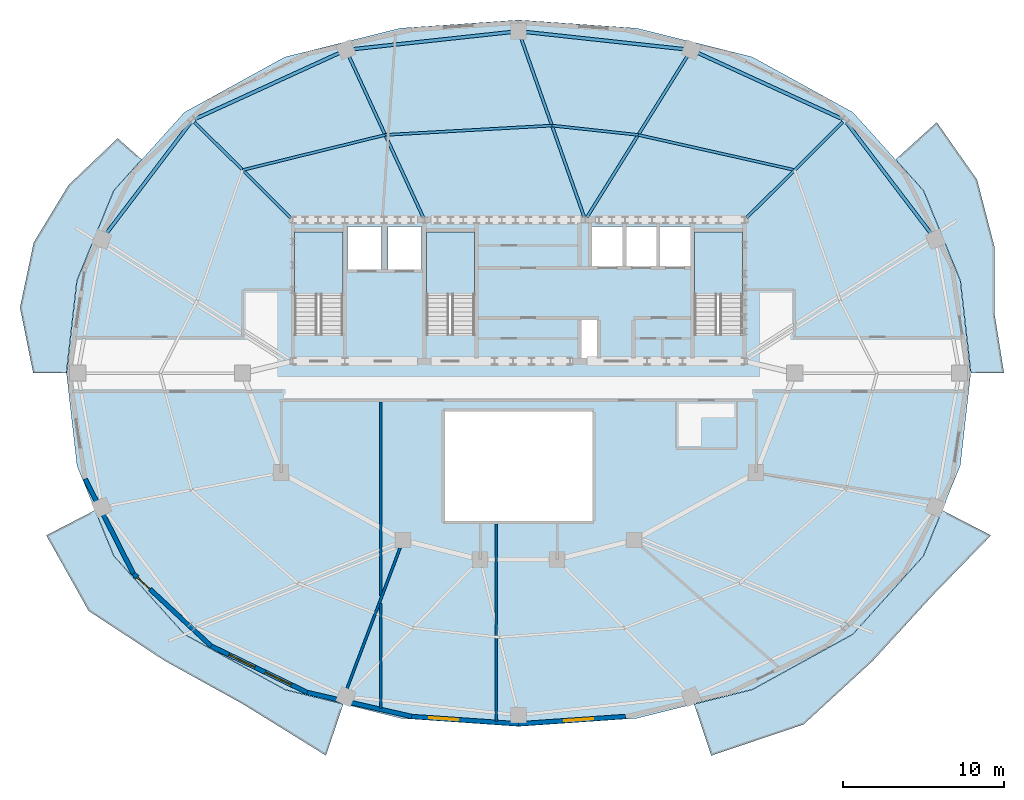
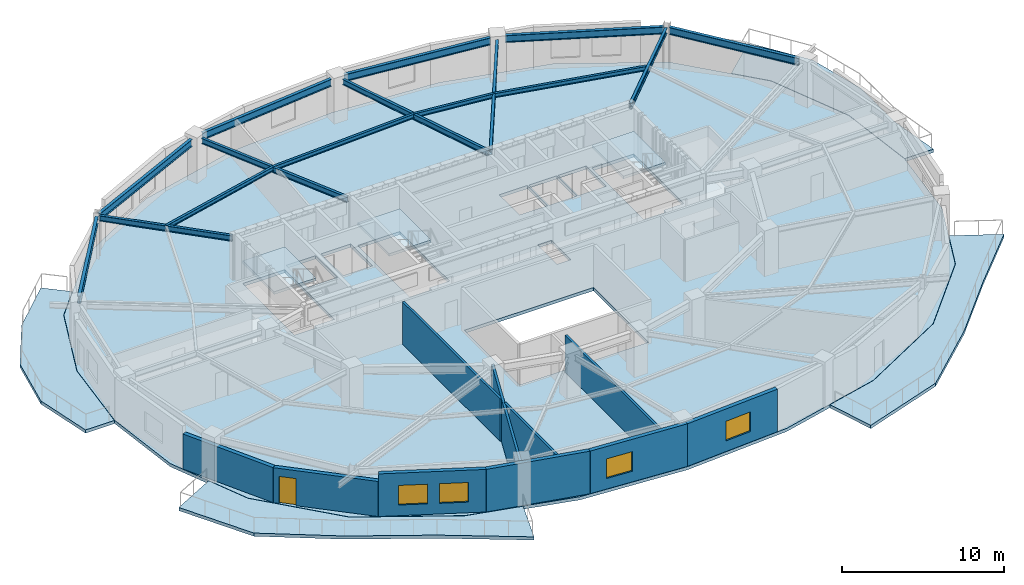
# One storey, part 3 of 11: 15 beams, 10 walls, 8 slabs, 4 windows, 1 door, 5 openings, 3 elements without a shape of their own.
"""IFC4 building model written with IfcOpenShell, lengths in metres."""

from ifc_helpers import new_model, si_unit, direction, frame, frame_2d, origin, origin_2d, place, context, subcontext, project, spatial, polyline, rectangle, i_section, outline, extrude, material, layer, layer_set, material_profile, profile_set, type_object, element, fill, aggregate, save


model = new_model("IFC4")

# Units and contexts
model_context = context("Model", 3, precision=1e-05, world=origin(), true_north=direction((0.0, 1.0)))
body_context = subcontext(model_context, "Body", "Model", "MODEL_VIEW")
ifc_project = project(units=[si_unit("LENGTHUNIT", "METRE"), si_unit("AREAUNIT", "SQUARE_METRE"), si_unit("VOLUMEUNIT", "CUBIC_METRE"), si_unit("PLANEANGLEUNIT", "RADIAN"), si_unit("MASSUNIT", "GRAM", prefix="KILO")], contexts=[model_context])

# Site, building, storey
site_placement = place(None, origin())
site = spatial("IfcSite", under=ifc_project, at=site_placement, CompositionType="ELEMENT")
building_placement = place(site_placement, origin())
building = spatial("IfcBuilding", under=site, at=building_placement, Name="Haldorwick Loom Tower", CompositionType="ELEMENT")
storey_placement = place(building_placement, frame((0.0, 0.0, 234.0)))
storey = spatial("IfcBuildingStorey", under=building, at=storey_placement, Name="L63", CompositionType="ELEMENT", Elevation=234.0)

# Beams
ifc_material_1 = material(Name="Steel CSA G40.21 350W", Category="steel")
ifc_material_profile_1 = material_profile(ifc_material_1, i_section(OverallWidth=0.166015625, OverallDepth=0.31298828125, WebThickness=0.006591796875, FlangeThickness=0.01123046875, at=origin_2d()), Name="W310X45", Category="steel")
ifc_profile_set_1 = profile_set([ifc_material_profile_1], Name="Steel CSA G40.21 350W")
beam_type_1 = type_object("IfcBeamType", Name="STR-BM-J310", PredefinedType="JOIST", material=ifc_profile_set_1)
beam_1_placement = place(storey_placement, frame((53.19384765625, 38.657470703125, 3.053466796875), z_axis=(-0.975700785876, 0.219107225898, 0.0), x_axis=(-0.219107225898, -0.975700785876, 0.0)))
element("IfcBeam", 1, at=beam_1_placement, inside=storey, type_object=beam_type_1, Name="L63 Mid-Bay Secondary Joist 3", PredefinedType="JOIST", context=body_context, shape_type="SweptSolid", body=[
    extrude(i_section(OverallWidth=0.166015625, OverallDepth=0.31298828125, WebThickness=0.006591796875, FlangeThickness=0.01123046875, at=origin_2d()), origin(), (0.0, 0.0, 1.0), 9.98486328125),
])
beam_2_placement = place(storey_placement, frame((43.45166015625, 40.84521484375, 3.053466796875), z_axis=(-0.994187082722, 0.107666357549, 0.0), x_axis=(-0.107666357549, -0.994187082722, 0.0)))
element("IfcBeam", 2, at=beam_2_placement, inside=storey, type_object=beam_type_1, Name="L63 Mid-Bay Secondary Joist 4", PredefinedType="JOIST", context=body_context, shape_type="SweptSolid", body=[
    extrude(i_section(OverallWidth=0.166015625, OverallDepth=0.31298828125, WebThickness=0.006591796875, FlangeThickness=0.01123046875, at=origin_2d()), origin(), (0.0, 0.0, 1.0), 5.408203125),
])
beam_3_placement = place(storey_placement, frame((38.074951171875, 41.427490234375, 3.053466796875), z_axis=(-0.998432354117, -0.05597172726, 0.0), x_axis=(0.05597172726, -0.998432354117, 0.0)))
element("IfcBeam", 3, at=beam_3_placement, inside=storey, type_object=beam_type_1, Name="L63 Mid-Bay Secondary Joist 5", PredefinedType="JOIST", context=body_context, shape_type="SweptSolid", body=[
    extrude(i_section(OverallWidth=0.166015625, OverallDepth=0.31298828125, WebThickness=0.006591796875, FlangeThickness=0.01123046875, at=origin_2d()), origin(), (0.0, 0.0, 1.0), 10.403076171875),
])
beam_4_placement = place(storey_placement, frame((27.688232421875, 40.84521484375, 3.053466796875), z_axis=(-0.970979703726, -0.239161901132, 0.0), x_axis=(0.239161901132, -0.970979703726, 0.0)))
element("IfcBeam", 4, at=beam_4_placement, inside=storey, type_object=beam_type_1, Name="L63 Mid-Bay Secondary Joist 6", PredefinedType="JOIST", context=body_context, shape_type="SweptSolid", body=[
    extrude(i_section(OverallWidth=0.166015625, OverallDepth=0.31298828125, WebThickness=0.006591796875, FlangeThickness=0.01123046875, at=origin_2d()), origin(), (0.0, 0.0, 1.0), 9.1474609375),
])
ifc_material_profile_2 = material_profile(ifc_material_1, i_section(OverallWidth=0.179931640625, OverallDepth=0.4130859375, WebThickness=0.009765625, FlangeThickness=0.01611328125, at=origin_2d()), Name="W410X74", Category="steel")
ifc_profile_set_2 = profile_set([ifc_material_profile_2], Name="Steel CSA G40.21 350W")
beam_type_2 = type_object("IfcBeamType", Name="STR-BM-J410", PredefinedType="JOIST", material=ifc_profile_set_2)
beam_5_placement = place(storey_placement, frame((50.1962890625, 35.675537109375, 3.00341796875), z_axis=(0.708952100153, 0.70525663392, 0.0), x_axis=(-0.70525663392, 0.708952100153, 0.0)))
element("IfcBeam", 5, at=beam_5_placement, inside=storey, type_object=beam_type_2, Name="L63 Radial Floor Girder 3", PredefinedType="JOIST", context=body_context, shape_type="SweptSolid", body=[
    extrude(i_section(OverallWidth=0.179931640625, OverallDepth=0.4130859375, WebThickness=0.009765625, FlangeThickness=0.01611328125, at=origin_2d()), origin(), (0.0, 0.0, 1.0), 8.456298828125),
])
beam_6_placement = place(storey_placement, frame((40.244140625, 35.700927734375, 3.00341796875), z_axis=(0.529096919652, 0.848561400027, 0.0), x_axis=(-0.848561400027, 0.529096919652, 0.0)))
element("IfcBeam", 6, at=beam_6_placement, inside=storey, type_object=beam_type_2, Name="L63 Radial Floor Girder 4", PredefinedType="JOIST", context=body_context, shape_type="SweptSolid", body=[
    extrude(i_section(OverallWidth=0.179931640625, OverallDepth=0.4130859375, WebThickness=0.009765625, FlangeThickness=0.01611328125, at=origin_2d()), origin(), (0.0, 0.0, 1.0), 11.827880859375),
])
beam_7_placement = place(storey_placement, frame((40.0908203125, 35.7177734375, 3.00341796875), z_axis=(-0.332900112782, 0.942962096221, 0.0), x_axis=(-0.942962096221, -0.332900112782, 0.0)))
element("IfcBeam", 7, at=beam_7_placement, inside=storey, type_object=beam_type_2, Name="L63 Radial Floor Girder 5", PredefinedType="JOIST", context=body_context, shape_type="SweptSolid", body=[
    extrude(i_section(OverallWidth=0.179931640625, OverallDepth=0.4130859375, WebThickness=0.009765625, FlangeThickness=0.01611328125, at=origin_2d()), origin(), (0.0, 0.0, 1.0), 11.813232421875),
])
beam_8_placement = place(storey_placement, frame((30.055419921875, 35.711669921875, 3.00341796875), z_axis=(-0.418729078283, 0.908111204094, 0.0), x_axis=(-0.908111204094, -0.418729078283, 0.0)))
element("IfcBeam", 8, at=beam_8_placement, inside=storey, type_object=beam_type_2, Name="L63 Radial Floor Girder 6", PredefinedType="JOIST", context=body_context, shape_type="SweptSolid", body=[
    extrude(i_section(OverallWidth=0.179931640625, OverallDepth=0.4130859375, WebThickness=0.009765625, FlangeThickness=0.01611328125, at=origin_2d()), origin(), (0.0, 0.0, 1.0), 11.00927734375),
])
beam_9_placement = place(storey_placement, frame((21.8037109375, 35.675537109375, 3.00341796875), z_axis=(-0.708952100153, 0.70525663392, 0.0), x_axis=(-0.70525663392, -0.708952100153, 0.0)))
element("IfcBeam", 9, at=beam_9_placement, inside=storey, type_object=beam_type_2, Name="L63 Radial Floor Girder 7", PredefinedType="JOIST", context=body_context, shape_type="SweptSolid", body=[
    extrude(i_section(OverallWidth=0.179931640625, OverallDepth=0.4130859375, WebThickness=0.009765625, FlangeThickness=0.01611328125, at=origin_2d()), origin(), (0.0, 0.0, 1.0), 8.456298828125),
])
ifc_material_profile_3 = material_profile(ifc_material_1, i_section(OverallWidth=0.2119140625, OverallDepth=0.5439453125, WebThickness=0.01318359375, FlangeThickness=0.021240234375, at=origin_2d()), Name="W530X123", Category="steel")
ifc_profile_set_3 = profile_set([ifc_material_profile_3], Name="Steel CSA G40.21 350W")
beam_type_3 = type_object("IfcBeamType", Name="STR-BM-SP530", PredefinedType="SPANDREL", material=ifc_profile_set_3)
beam_10_placement = place(storey_placement, frame((61.673583984375, 34.720703125, 2.93798828125), z_axis=(-0.605253156055, 0.796033050247, 0.0), x_axis=(-0.796033050247, -0.605253156055, 0.0)))
element("IfcBeam", 10, at=beam_10_placement, inside=storey, type_object=beam_type_3, Name="L63 Perimeter Spandrel 2", PredefinedType="SPANDREL", context=body_context, shape_type="SweptSolid", body=[
    extrude(i_section(OverallWidth=0.2119140625, OverallDepth=0.5439453125, WebThickness=0.01318359375, FlangeThickness=0.021240234375, at=origin_2d()), origin(), (0.0, 0.0, 1.0), 8.671142578125),
])
beam_11_placement = place(storey_placement, frame((56.15576171875, 41.839111328125, 2.93798828125), z_axis=(-0.909350907904, 0.41602995841, 0.0), x_axis=(-0.41602995841, -0.909350907904, 0.0)))
element("IfcBeam", 11, at=beam_11_placement, inside=storey, type_object=beam_type_3, Name="L63 Perimeter Spandrel 3", PredefinedType="SPANDREL", context=body_context, shape_type="SweptSolid", body=[
    extrude(i_section(OverallWidth=0.2119140625, OverallDepth=0.5439453125, WebThickness=0.01318359375, FlangeThickness=0.021240234375, at=origin_2d()), origin(), (0.0, 0.0, 1.0), 9.86474609375),
])
for number, where, z_axis, x_axis, name in (
    (12, (46.28125, 46.191650390625, 2.93798828125), (-0.994187378218, 0.107663628917, 0.0), (-0.107663628917, -0.994187378218, 0.0), "L63 Perimeter Spandrel 4"),
    (13, (35.52783203125, 47.25390625, 2.93798828125), (-0.994187378218, -0.107663628917, 0.0), (0.107663628917, -0.994187378218, 0.0), "L63 Perimeter Spandrel 5"),
):
    element("IfcBeam", number, at=place(storey_placement, frame(where, z_axis=z_axis, x_axis=x_axis)), inside=storey, type_object=beam_type_3, Name=name, PredefinedType="SPANDREL", context=body_context, shape_type="SweptSolid", body=[
        extrude(i_section(OverallWidth=0.2119140625, OverallDepth=0.5439453125, WebThickness=0.01318359375, FlangeThickness=0.021240234375, at=origin_2d()), origin(), (0.0, 0.0, 1.0), 9.866455078125),
    ])
beam_12_placement = place(storey_placement, frame((24.814697265625, 45.943115234375, 2.93798828125), z_axis=(-0.909350907904, -0.41602995841, 0.0), x_axis=(0.41602995841, -0.909350907904, 0.0)))
element("IfcBeam", 14, at=beam_12_placement, inside=storey, type_object=beam_type_3, Name="L63 Perimeter Spandrel 6", PredefinedType="SPANDREL", context=body_context, shape_type="SweptSolid", body=[
    extrude(i_section(OverallWidth=0.2119140625, OverallDepth=0.5439453125, WebThickness=0.01318359375, FlangeThickness=0.021240234375, at=origin_2d()), origin(), (0.0, 0.0, 1.0), 9.86474609375),
])
beam_13_placement = place(storey_placement, frame((15.57470703125, 41.623291015625, 2.93798828125), z_axis=(-0.605253156055, -0.796033050247, 0.0), x_axis=(0.796033050247, -0.605253156055, 0.0)))
element("IfcBeam", 15, at=beam_13_placement, inside=storey, type_object=beam_type_3, Name="L63 Perimeter Spandrel 7", PredefinedType="SPANDREL", context=body_context, shape_type="SweptSolid", body=[
    extrude(i_section(OverallWidth=0.2119140625, OverallDepth=0.5439453125, WebThickness=0.01318359375, FlangeThickness=0.021240234375, at=origin_2d()), origin(), (0.0, 0.0, 1.0), 8.671142578125),
])

# Slabs
ifc_material_2 = material(Name="Concrete C40 (40 MPa)", Category="concrete")
ifc_layer_1 = layer(ifc_material_2, 0.239990234375, Name="Concrete C40 (40 MPa)", Category="concrete")
ifc_layer_set_1 = layer_set([ifc_layer_1], Name="Concrete C40 (40 MPa)")
slab_type_1 = type_object("IfcSlabType", Name="STR-SLB-BAL240", PredefinedType="FLOOR", material=ifc_layer_set_1)
slab_1_placement = place(storey_placement, frame((0.0, 0.0, -0.239990234375)))
element("IfcSlab", 16, at=slab_1_placement, inside=storey, type_object=slab_type_1, Name="L63 Sinusoidal Balcony Terrace BAL_SE", PredefinedType="FLOOR", context=body_context, shape_type="SweptSolid", body=[
    extrude(outline(polyline([(62.39208984375, 17.46142578125), (61.229736328125, 14.62060546875), (61.229248046875, 14.619384765625), (61.228515625, 14.6181640625), (61.227783203125, 14.6171875), (61.22705078125, 14.6162109375), (56.82373046875, 9.72998046875), (56.82275390625, 9.72900390625), (56.8212890625, 9.727783203125), (56.81982421875, 9.72705078125), (50.565673828125, 6.287109375), (50.564453125, 6.286376953125), (50.563232421875, 6.285888671875), (50.56201171875, 6.285400390625), (46.934326171875, 5.379638671875), (48.0029296875, 2.17919921875), (53.75341796875, 4.119873046875), (58.088134765625, 8.107666015625), (61.7333984375, 12.09521484375), (65.4248046875, 15.89599609375), (62.39208984375, 17.46142578125)])), origin(), (0.0, 0.0, 1.0), 0.239990234375),
])
slab_2_placement = place(storey_placement, frame((0.0, 0.0, -0.239990234375)))
element("IfcSlab", 17, at=slab_2_placement, inside=storey, type_object=slab_type_1, Name="L63 Sinusoidal Balcony Terrace BAL_SW", PredefinedType="FLOOR", context=body_context, shape_type="SweptSolid", body=[
    extrude(outline(polyline([(25.065673828125, 5.379638671875), (21.43798828125, 6.285400390625), (21.436767578125, 6.285888671875), (21.435546875, 6.286376953125), (21.434326171875, 6.287109375), (15.18017578125, 9.72705078125), (15.1787109375, 9.727783203125), (15.17724609375, 9.72900390625), (15.17626953125, 9.72998046875), (10.77294921875, 14.6162109375), (10.772216796875, 14.6171875), (10.771484375, 14.6181640625), (10.770751953125, 14.619384765625), (10.770263671875, 14.62060546875), (9.60791015625, 17.46142578125), (6.5751953125, 15.89599609375), (9.211181640625, 11.19287109375), (13.911865234375, 8.107666015625), (18.889404296875, 5.350830078125), (23.9970703125, 2.17919921875), (25.065673828125, 5.379638671875)])), origin(), (0.0, 0.0, 1.0), 0.239990234375),
])
slab_3_placement = place(storey_placement, frame((0.0, 0.0, -0.239990234375)))
element("IfcSlab", 18, at=slab_3_placement, inside=storey, type_object=slab_type_1, Name="L63 Sinusoidal Balcony Terrace BAL_WNW", PredefinedType="FLOOR", context=body_context, shape_type="SweptSolid", body=[
    extrude(outline(polyline([(7.818603515625, 26.0), (7.818603515625, 26.001708984375), (8.472412109375, 31.760986328125), (8.47265625, 31.762451171875), (8.472900390625, 31.763916015625), (8.473388671875, 31.76513671875), (10.770263671875, 37.37939453125), (10.770751953125, 37.380615234375), (10.771484375, 37.3818359375), (10.772216796875, 37.3828125), (10.77294921875, 37.3837890625), (12.51220703125, 39.31396484375), (11.021240234375, 40.63623046875), (7.961669921875, 37.720947265625), (5.794921875, 34.153564453125), (4.93603515625, 30.090576171875), (5.761962890625, 26.0), (7.818603515625, 26.0)])), origin(), (0.0, 0.0, 1.0), 0.239990234375),
])
slab_4_placement = place(storey_placement, frame((0.0, 0.0, -0.239990234375)))
element("IfcSlab", 19, at=slab_4_placement, inside=storey, type_object=slab_type_1, Name="L63 Sinusoidal Balcony Terrace BAL_ENE", PredefinedType="FLOOR", context=body_context, shape_type="SweptSolid", body=[
    extrude(outline(polyline([(59.48681640625, 39.315185546875), (61.22705078125, 37.3837890625), (61.227783203125, 37.3828125), (61.228515625, 37.3818359375), (61.229248046875, 37.380615234375), (61.229736328125, 37.37939453125), (63.526611328125, 31.76513671875), (63.527099609375, 31.763916015625), (63.52734375, 31.762451171875), (63.527587890625, 31.760986328125), (64.181396484375, 26.001708984375), (64.181396484375, 26.0), (66.238037109375, 26.0), (65.631103515625, 29.80029296875), (65.632568359375, 33.91552734375), (64.5576171875, 38.0595703125), (62.04931640625, 41.6318359375), (59.48681640625, 39.315185546875)])), origin(), (0.0, 0.0, 1.0), 0.239990234375),
])

# Stair, slab
stair_type = type_object("IfcStairType", Name="STR-STR-CORE", PredefinedType="HALF_TURN_STAIR", material=ifc_material_2)
stair_1_placement = place(storey_placement, origin())
stair_1 = element("IfcStair", 20, at=stair_1_placement, inside=storey, type_object=stair_type, Name="L63 Exit Stair ST-01", PredefinedType="HALF_TURN_STAIR")
ifc_layer_2 = layer(ifc_material_2, 0.199951171875, Name="Concrete C40 (40 MPa)", Category="concrete")
ifc_layer_set_2 = layer_set([ifc_layer_2], Name="Concrete C40 (40 MPa)")
slab_type_2 = type_object("IfcSlabType", Name="STR-SLB-LAND200", PredefinedType="LANDING", material=ifc_layer_set_2)
slab_5_placement = place(storey_placement, frame((0.0, 0.0, 1.52490234375)))
slab_5 = element("IfcSlab", 21, at=slab_5_placement, type_object=slab_type_2, Name="ST-01 landing 1", PredefinedType="LANDING", context=body_context, shape_type="SweptSolid", body=[
    extrude(outline(polyline([(25.050048828125, 30.919921875), (25.050048828125, 34.800048828125), (22.050048828125, 34.800048828125), (22.050048828125, 30.919921875), (25.050048828125, 30.919921875)])), origin(), (0.0, 0.0, 1.0), 0.2001953125),
])
aggregate(stair_1, [slab_5])

stair_2_placement = place(storey_placement, origin())
stair_2 = element("IfcStair", 22, at=stair_2_placement, inside=storey, type_object=stair_type, Name="L63 Exit Stair ST-02", PredefinedType="HALF_TURN_STAIR")
slab_6_placement = place(storey_placement, frame((0.0, 0.0, 1.52490234375)))
slab_6 = element("IfcSlab", 23, at=slab_6_placement, type_object=slab_type_2, Name="ST-02 landing 1", PredefinedType="LANDING", context=body_context, shape_type="SweptSolid", body=[
    extrude(outline(polyline([(49.949951171875, 30.919921875), (49.949951171875, 34.800048828125), (46.949951171875, 34.800048828125), (46.949951171875, 30.919921875), (49.949951171875, 30.919921875)])), origin(), (0.0, 0.0, 1.0), 0.2001953125),
])
aggregate(stair_2, [slab_6])

stair_3_placement = place(storey_placement, origin())
stair_3 = element("IfcStair", 24, at=stair_3_placement, inside=storey, type_object=stair_type, Name="L63 Exit Stair ST-03", PredefinedType="HALF_TURN_STAIR")
slab_7_placement = place(storey_placement, frame((0.0, 0.0, 1.52490234375)))
slab_7 = element("IfcSlab", 25, at=slab_7_placement, type_object=slab_type_2, Name="ST-03 landing 1", PredefinedType="LANDING", context=body_context, shape_type="SweptSolid", body=[
    extrude(outline(polyline([(33.25, 30.919921875), (33.25, 34.800048828125), (30.25, 34.800048828125), (30.25, 30.919921875), (33.25, 30.919921875)])), origin(), (0.0, 0.0, 1.0), 0.2001953125),
])
aggregate(stair_3, [slab_7])

# Slab
ifc_layer_3 = layer(ifc_material_2, 0.239990234375, Name="Concrete C40 (40 MPa)", Category="concrete")
ifc_layer_set_3 = layer_set([ifc_layer_3], Name="Concrete C40 (40 MPa)")
slab_type_3 = type_object("IfcSlabType", Name="STR-SLB-RES240", PredefinedType="FLOOR", material=ifc_layer_set_3)
slab_8_placement = place(storey_placement, frame((0.0, 0.0, -0.239990234375)))
element("IfcSlab", 26, at=slab_8_placement, inside=storey, type_object=slab_type_3, Name="L63 Residential Structural Floor Slab", PredefinedType="FLOOR", context=body_context, shape_type="SweptSolid", body=[
    extrude(outline(polyline([(56.812744140625, 9.739990234375), (61.2158203125, 14.626220703125), (63.5126953125, 20.240478515625), (64.16650390625, 26.0), (63.5126953125, 31.759521484375), (61.2158203125, 37.373779296875), (56.812744140625, 42.260009765625), (50.558349609375, 45.699951171875), (43.3720703125, 47.494384765625), (36.0, 48.0048828125), (28.6279296875, 47.494384765625), (21.441650390625, 45.699951171875), (15.187255859375, 42.260009765625), (10.7841796875, 37.373779296875), (8.4873046875, 31.759521484375), (7.83349609375, 26.0), (8.4873046875, 20.240478515625), (10.7841796875, 14.626220703125), (15.187255859375, 9.739990234375), (21.441650390625, 6.300048828125), (28.6279296875, 4.505615234375), (36.0, 3.9951171875), (43.3720703125, 4.505615234375), (50.558349609375, 6.300048828125), (56.812744140625, 9.739990234375)]), holes=[polyline([(31.39990234375, 16.800048828125), (31.39990234375, 23.60009765625), (40.60009765625, 23.60009765625), (40.60009765625, 16.800048828125), (31.39990234375, 16.800048828125)]), polyline([(40.89990234375, 26.89990234375), (39.89990234375, 26.89990234375), (39.89990234375, 29.300048828125), (40.89990234375, 29.300048828125), (40.89990234375, 26.89990234375)]), polyline([(23.6201171875, 28.39990234375), (22.050048828125, 28.39990234375), (22.050048828125, 34.800048828125), (25.050048828125, 34.800048828125), (25.050048828125, 28.639892578125), (23.6201171875, 28.639892578125), (23.6201171875, 28.39990234375)]), polyline([(30.25, 28.39990234375), (30.25, 34.800048828125), (33.25, 34.800048828125), (33.25, 28.639892578125), (31.820068359375, 28.639892578125), (31.820068359375, 28.39990234375), (30.25, 28.39990234375)]), polyline([(46.949951171875, 28.39990234375), (46.949951171875, 34.800048828125), (49.949951171875, 34.800048828125), (49.949951171875, 28.639892578125), (48.52001953125, 28.639892578125), (48.52001953125, 28.39990234375), (46.949951171875, 28.39990234375)]), polyline([(27.449951171875, 32.449951171875), (25.35009765625, 32.449951171875), (25.35009765625, 35.14990234375), (27.449951171875, 35.14990234375), (27.449951171875, 32.449951171875)]), polyline([(29.949951171875, 32.449951171875), (27.85009765625, 32.449951171875), (27.85009765625, 35.14990234375), (29.949951171875, 35.14990234375), (29.949951171875, 32.449951171875)]), polyline([(42.550048828125, 32.64990234375), (40.550048828125, 32.64990234375), (40.550048828125, 35.14990234375), (42.550048828125, 35.14990234375), (42.550048828125, 32.64990234375)]), polyline([(42.64990234375, 32.64990234375), (42.64990234375, 35.14990234375), (44.64990234375, 35.14990234375), (44.64990234375, 32.64990234375), (42.64990234375, 32.64990234375)]), polyline([(44.75, 32.64990234375), (44.75, 35.14990234375), (46.75, 35.14990234375), (46.75, 32.64990234375), (44.75, 32.64990234375)])]), origin(), (0.0, 0.0, 1.0), 0.239990234375),
])

# Wall
ifc_material_3 = material(Name="Pressed Clay Face Brick and Insulated Masonry Backup Assembly", Category="masonry")
ifc_layer_4 = layer(ifc_material_3, 0.280029296875, Name="Pressed Clay Face Brick and Insulated Masonry Backup Assembly", Category="masonry")
ifc_layer_set_4 = layer_set([ifc_layer_4], Name="Pressed Clay Face Brick and Insulated Masonry Backup Assembly")
wall_type_1 = type_object("IfcWallType", Name="ARC-WL-EXT280", PredefinedType="STANDARD", material=ifc_layer_set_4)
wall_1_placement = place(storey_placement, frame((8.995849609375, 19.415283203125, 0.0), z_axis=(0.0, 0.0, 1.0), x_axis=(0.453032066879, -0.89149422117, 0.0)))
element("IfcWall", 27, at=wall_1_placement, inside=storey, type_object=wall_type_1, Name="L63 Brick Pier and Spandrel Wall 14", PredefinedType="STANDARD", context=body_context, shape_type="SweptSolid", body=[
    extrude(rectangle(XDim=6.618896484375, YDim=0.280029296875, at=frame_2d((3.3095703125, 0.0))), origin(), (0.0, 0.0, 1.0), 2.64111328125),
])

# Wall, opening, door
wall_2_placement = place(storey_placement, frame((11.994384765625, 13.5146484375, 0.0), z_axis=(0.0, 0.0, 1.0), x_axis=(0.731833707499, -0.681483253329, 0.0)))
wall_2 = element("IfcWall", 28, at=wall_2_placement, inside=storey, type_object=wall_type_1, Name="L63 Brick Pier and Spandrel Wall 15", PredefinedType="STANDARD", context=body_context, shape_type="SweptSolid", body=[
    extrude(rectangle(XDim=6.61865234375, YDim=0.280029296875, at=frame_2d((3.309326171875, 0.0))), origin(), (0.0, 0.0, 1.0), 2.64111328125),
])
opening_1_placement = place(wall_2_placement, frame((0.340087890625, 0.0, 0.0)))
opening_1 = element("IfcOpeningElement", 29, at=opening_1_placement, cuts=wall_2, Name="Opening D-BL11", PredefinedType="OPENING", context=body_context, shape_type="SweptSolid", body=[
    extrude(rectangle(XDim=1.080078125, YDim=2.0400390625, at=frame_2d((0.5400390625, 1.02001953125))), frame((0.0, 0.14990234375, 0.0), z_axis=(0.0, -1.0, 0.0), x_axis=(1.0, 0.0, 0.0)), (0.0, 0.0, 1.0), 0.300048828125),
])
ifc_material_4 = material(Name="Thermally Broken Anodized Aluminium Curtain Wall Framing", Category="aluminium")
door_type = type_object("IfcDoorType", Name="ARC-DR-BAL110", OperationType="NOTDEFINED", PredefinedType="DOOR", material=ifc_material_4)
door_placement = place(opening_1_placement, origin())
door = element("IfcDoor", 30, at=door_placement, inside=storey, type_object=door_type, Name="L63 Outdoor Terrace Door SLB-L63-BAL_SW", OperationType="SINGLE_SWING_LEFT", OverallHeight=2.0400390625, OverallWidth=1.080078125, PredefinedType="DOOR", context=body_context, shape_type="SweptSolid", body=[
    extrude(rectangle(XDim=1.080078125, YDim=2.0400390625, at=frame_2d((0.5400390625, 1.02001953125))), frame((0.0, 0.02490234375, 0.0), z_axis=(0.0, -1.0, 0.0), x_axis=(1.0, 0.0, 0.0)), (0.0, 0.0, 1.0), 0.050048828125),
])
fill(opening_1, door)

# Wall, openings, windows
wall_3_placement = place(storey_placement, frame((16.838134765625, 9.004150390625, 0.0), z_axis=(0.0, 0.0, 1.0), x_axis=(0.900371236029, -0.435122554381, 0.0)))
wall_3 = element("IfcWall", 31, at=wall_3_placement, inside=storey, type_object=wall_type_1, Name="L63 Brick Pier and Spandrel Wall 16", PredefinedType="STANDARD", context=body_context, shape_type="SweptSolid", body=[
    extrude(rectangle(XDim=6.6533203125, YDim=0.280029296875, at=frame_2d((3.32666015625, 0.0))), origin(), (0.0, 0.0, 1.0), 3.2099609375),
])
opening_2_placement = place(wall_3_placement, frame((1.234375, 0.0, 0.800048828125)))
opening_2 = element("IfcOpeningElement", 32, at=opening_2_placement, cuts=wall_3, Name="Opening W-01", PredefinedType="OPENING", context=body_context, shape_type="SweptSolid", body=[
    extrude(rectangle(XDim=1.800048828125, YDim=1.47998046875, at=frame_2d((0.89990234375, 0.739990234375))), frame((0.0, 0.14990234375, 0.0), z_axis=(0.0, -1.0, 0.0), x_axis=(1.0, 0.0, 0.0)), (0.0, 0.0, 1.0), 0.300048828125),
])
opening_3_placement = place(wall_3_placement, frame((3.75732421875, 0.0, 0.800048828125)))
opening_3 = element("IfcOpeningElement", 33, at=opening_3_placement, cuts=wall_3, Name="Opening W-01", PredefinedType="OPENING", context=body_context, shape_type="SweptSolid", body=[
    extrude(rectangle(XDim=1.800048828125, YDim=1.47998046875, at=frame_2d((0.89990234375, 0.739990234375))), frame((0.0, 0.14990234375, 0.0), z_axis=(0.0, -1.0, 0.0), x_axis=(1.0, 0.0, 0.0)), (0.0, 0.0, 1.0), 0.300048828125),
])
ifc_material_5 = material(Name="Triple-Glazed Low-E Argon Insulated Glazing Unit", Category="glass")
window_type = type_object("IfcWindowType", Name="ARC-WIN-W180", PartitioningType="SINGLE_PANEL", PredefinedType="WINDOW", material=ifc_material_5)
window_1_placement = place(opening_2_placement, origin())
window_1 = element("IfcWindow", 34, at=window_1_placement, inside=storey, type_object=window_type, Name="L63 Deep-Set Zone 7A Window 16", OverallHeight=1.47998046875, OverallWidth=1.800048828125, PartitioningType="SINGLE_PANEL", PredefinedType="WINDOW", context=body_context, shape_type="SweptSolid", body=[
    extrude(rectangle(XDim=1.800048828125, YDim=1.47998046875, at=frame_2d((0.89990234375, 0.739990234375))), frame((0.0, 0.030029296875, 0.0), z_axis=(0.0, -1.0, 0.0), x_axis=(1.0, 0.0, 0.0)), (0.0, 0.0, 1.0), 0.06005859375),
])
fill(opening_2, window_1)
window_2_placement = place(opening_3_placement, origin())
window_2 = element("IfcWindow", 35, at=window_2_placement, inside=storey, type_object=window_type, Name="L63 Deep-Set Zone 7A Window 16", OverallHeight=1.47998046875, OverallWidth=1.800048828125, PartitioningType="SINGLE_PANEL", PredefinedType="WINDOW", context=body_context, shape_type="SweptSolid", body=[
    extrude(rectangle(XDim=1.800048828125, YDim=1.47998046875, at=frame_2d((0.89990234375, 0.739990234375))), frame((0.0, 0.030029296875, 0.0), z_axis=(0.0, -1.0, 0.0), x_axis=(1.0, 0.0, 0.0)), (0.0, 0.0, 1.0), 0.06005859375),
])
fill(opening_3, window_2)

# Wall
wall_4_placement = place(storey_placement, frame((22.82861328125, 6.109130859375, 0.0), z_axis=(0.0, 0.0, 1.0), x_axis=(0.974557343474, -0.224138315065, 0.0)))
element("IfcWall", 36, at=wall_4_placement, inside=storey, type_object=wall_type_1, Name="L63 Brick Pier and Spandrel Wall 17", PredefinedType="STANDARD", context=body_context, shape_type="SweptSolid", body=[
    extrude(rectangle(XDim=6.676025390625, YDim=0.280029296875, at=frame_2d((3.337890625, 0.0))), origin(), (0.0, 0.0, 1.0), 3.2099609375),
])

# Wall, opening, window
wall_5_placement = place(storey_placement, frame((29.334716796875, 4.61279296875, 0.0), z_axis=(0.0, 0.0, 1.0), x_axis=(0.99764992135, -0.068517402386, 0.0)))
wall_5 = element("IfcWall", 37, at=wall_5_placement, inside=storey, type_object=wall_type_1, Name="L63 Brick Pier and Spandrel Wall 18", PredefinedType="STANDARD", context=body_context, shape_type="SweptSolid", body=[
    extrude(rectangle(XDim=6.680908203125, YDim=0.280029296875, at=frame_2d((3.34033203125, 0.0))), origin(), (0.0, 0.0, 1.0), 3.2099609375),
])
opening_4_placement = place(wall_5_placement, frame((1.104248046875, 0.0, 0.800048828125)))
opening_4 = element("IfcOpeningElement", 38, at=opening_4_placement, cuts=wall_5, Name="Opening W-01", PredefinedType="OPENING", context=body_context, shape_type="SweptSolid", body=[
    extrude(rectangle(XDim=1.800048828125, YDim=1.47998046875, at=frame_2d((0.89990234375, 0.739990234375))), frame((0.0, 0.14990234375, 0.0), z_axis=(0.0, -1.0, 0.0), x_axis=(1.0, 0.0, 0.0)), (0.0, 0.0, 1.0), 0.300048828125),
])
window_3_placement = place(opening_4_placement, origin())
window_3 = element("IfcWindow", 39, at=window_3_placement, inside=storey, type_object=window_type, Name="L63 Deep-Set Zone 7A Window 18", OverallHeight=1.47998046875, OverallWidth=1.800048828125, PartitioningType="SINGLE_PANEL", PredefinedType="WINDOW", context=body_context, shape_type="SweptSolid", body=[
    extrude(rectangle(XDim=1.800048828125, YDim=1.47998046875, at=frame_2d((0.89990234375, 0.739990234375))), frame((0.0, 0.030029296875, 0.0), z_axis=(0.0, -1.0, 0.0), x_axis=(1.0, 0.0, 0.0)), (0.0, 0.0, 1.0), 0.06005859375),
])
fill(opening_4, window_3)

wall_6_placement = place(storey_placement, frame((36.0, 4.155029296875, 0.0), z_axis=(0.0, 0.0, 1.0), x_axis=(0.99764992135, 0.068517402386, 0.0)))
wall_6 = element("IfcWall", 40, at=wall_6_placement, inside=storey, type_object=wall_type_1, Name="L63 Brick Pier and Spandrel Wall 19", PredefinedType="STANDARD", context=body_context, shape_type="SweptSolid", body=[
    extrude(rectangle(XDim=6.680908203125, YDim=0.280029296875, at=frame_2d((3.34033203125, 0.0))), origin(), (0.0, 0.0, 1.0), 3.2099609375),
])
opening_5_placement = place(wall_6_placement, frame((2.860595703125, 0.0, 0.800048828125)))
opening_5 = element("IfcOpeningElement", 41, at=opening_5_placement, cuts=wall_6, Name="Opening W-01", PredefinedType="OPENING", context=body_context, shape_type="SweptSolid", body=[
    extrude(rectangle(XDim=1.800048828125, YDim=1.47998046875, at=frame_2d((0.89990234375, 0.739990234375))), frame((0.0, 0.14990234375, 0.0), z_axis=(0.0, -1.0, 0.0), x_axis=(1.0, 0.0, 0.0)), (0.0, 0.0, 1.0), 0.300048828125),
])
window_4_placement = place(opening_5_placement, origin())
window_4 = element("IfcWindow", 42, at=window_4_placement, inside=storey, type_object=window_type, Name="L63 Deep-Set Zone 7A Window 19", OverallHeight=1.47998046875, OverallWidth=1.800048828125, PartitioningType="SINGLE_PANEL", PredefinedType="WINDOW", context=body_context, shape_type="SweptSolid", body=[
    extrude(rectangle(XDim=1.800048828125, YDim=1.47998046875, at=frame_2d((0.89990234375, 0.739990234375))), frame((0.0, 0.030029296875, 0.0), z_axis=(0.0, -1.0, 0.0), x_axis=(1.0, 0.0, 0.0)), (0.0, 0.0, 1.0), 0.06005859375),
])
fill(opening_5, window_4)

# Walls
ifc_material_6 = material(Name="Fire-Rated Type X Gypsum Stud Assembly EI 60")
ifc_layer_5 = layer(ifc_material_6, 0.159912109375, Name="Fire-Rated Type X Gypsum Stud Assembly EI 60")
ifc_layer_set_5 = layer_set([ifc_layer_5], Name="Fire-Rated Type X Gypsum Stud Assembly EI 60")
wall_type_2 = type_object("IfcWallType", Name="ARC-WL-FIRE160", PredefinedType="PARTITIONING", material=ifc_layer_set_5)
wall_7_placement = place(storey_placement, frame((28.800048828125, 15.60009765625, 0.0), z_axis=(0.0, 0.0, 1.0), x_axis=(-0.35340815444, -0.935469227915, 0.0)))
element("IfcWall", 43, at=wall_7_placement, inside=storey, type_object=wall_type_2, Name="L63 Residential Fire Partition L63-ICR-08", PredefinedType="PARTITIONING", context=body_context, shape_type="SweptSolid", body=[
    extrude(rectangle(XDim=10.639892578125, YDim=0.159912109375, at=frame_2d((5.31982421875, 0.0))), origin(), (0.0, 0.0, 1.0), 3.195068359375),
])
wall_8_placement = place(storey_placement, frame((27.39990234375, 5.10400390625, 0.0), z_axis=(0.0, 0.0, 1.0), x_axis=(0.0, 1.0, 0.0)))
element("IfcWall", 44, at=wall_8_placement, inside=storey, type_object=wall_type_2, Name="L63 Residential Fire Partition L63-SBP-0", PredefinedType="PARTITIONING", context=body_context, shape_type="SweptSolid", body=[
    extrude(rectangle(XDim=6.55517578125, YDim=0.159912109375, at=frame_2d((3.277587890625, 0.0))), origin(), (0.0, 0.0, 1.0), 3.195068359375),
])
wall_9_placement = place(storey_placement, frame((27.39990234375, 12.12890625, 0.0), z_axis=(0.0, 0.0, 1.0), x_axis=(0.0, 1.0, 0.0)))
element("IfcWall", 45, at=wall_9_placement, inside=storey, type_object=wall_type_2, Name="L63 Residential Fire Partition L63-SBP-0", PredefinedType="PARTITIONING", context=body_context, shape_type="SweptSolid", body=[
    extrude(rectangle(XDim=12.088134765625, YDim=0.159912109375, at=frame_2d((6.0439453125, 0.0))), origin(), (0.0, 0.0, 1.0), 3.195068359375),
])
wall_10_placement = place(storey_placement, frame((34.60009765625, 4.29638671875, 0.0), z_axis=(0.0, 0.0, 1.0), x_axis=(0.0, 1.0, 0.0)))
element("IfcWall", 46, at=wall_10_placement, inside=storey, type_object=wall_type_2, Name="L63 Residential Fire Partition L63-SBP-1", PredefinedType="PARTITIONING", context=body_context, shape_type="SweptSolid", body=[
    extrude(rectangle(XDim=12.300537109375, YDim=0.159912109375, at=frame_2d((6.150390625, 0.0))), origin(), (0.0, 0.0, 1.0), 2.77197265625),
])

save(model, "model.ifc")
